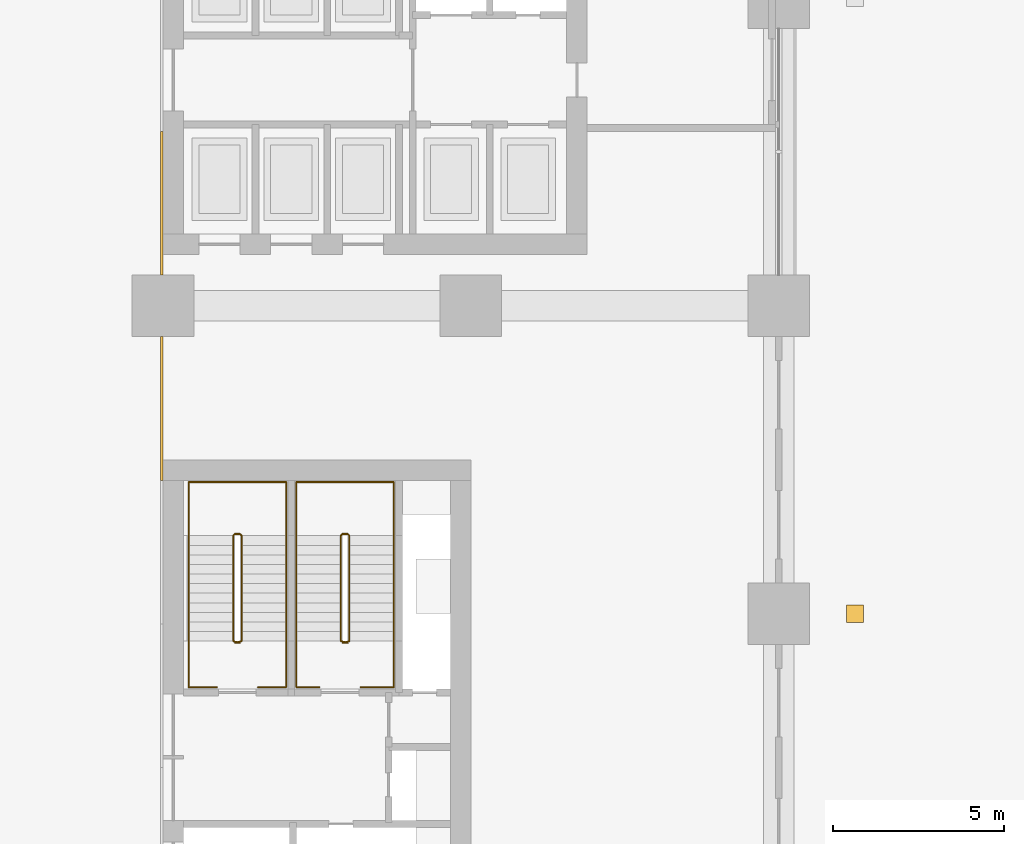
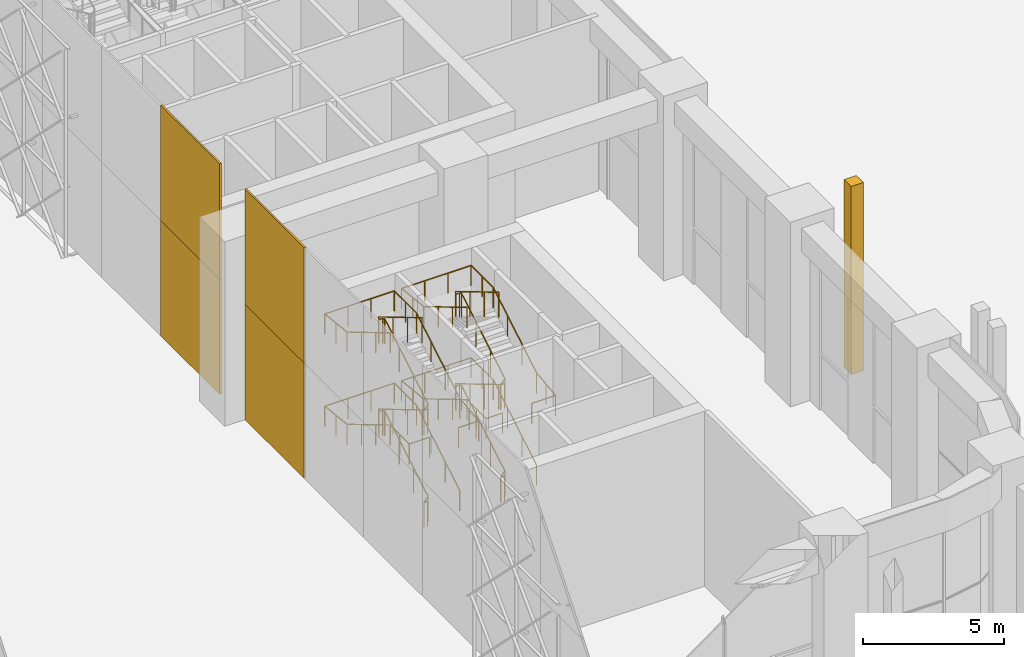
# One storey, part 53 of 64: 6 railings, 5 coverings.
"""IFC4 building model written with IfcOpenShell, lengths in metres."""

import ifcopenshell
import ifcopenshell.guid

model = None  # the IFC model being written
_history = None  # IfcOwnerHistory: only IFC2X3 demands one
_inside = {}  # id of a spatial element -> (the spatial element, [elements in it])
_under = {}  # id of a project, library or spatial element -> (it, [spatial elements below it])
_declared = {}  # id of a project -> (the project, [libraries it declares])
_typed = {}  # id of a type object -> (the type object, [elements of that type])
_made_of = {}  # id of a material, layer set ... -> (it, [elements and type objects made of it])


def new_model(schema):
    """Start an empty IFC model of exactly this schema.

    Asked for "IFC4X3", IfcOpenShell would pick the latest addendum, in which some entities
    have other attributes; the version numbers below select the first issue.
    IFC2X3 requires an IfcOwnerHistory on every rooted entity: one is made here for all.
    """
    global model, _history
    if schema == "IFC4X3":
        model = ifcopenshell.file(schema_version=(4, 3, 0, 0))
    else:
        model = ifcopenshell.file(schema=schema)
    _inside.clear()
    _under.clear()
    _declared.clear()
    _typed.clear()
    _made_of.clear()
    _history = None
    if model.schema == "IFC2X3":
        org = make("IfcOrganization", Name="unknown")
        user = make(
            "IfcPersonAndOrganization",
            ThePerson=make("IfcPerson", FamilyName="unknown"),
            TheOrganization=org,
        )
        app = make(
            "IfcApplication",
            ApplicationDeveloper=org,
            Version="unknown",
            ApplicationFullName="unknown",
            ApplicationIdentifier="unknown",
        )
        _history = make(
            "IfcOwnerHistory",
            OwningUser=user,
            OwningApplication=app,
            ChangeAction="ADDED",
            CreationDate=0,
        )
    return model


def make(cls, **values):
    """One entity of the class cls with the attributes given. An attribute that is None is left unset."""
    return model.create_entity(
        cls, **{name: value for name, value in values.items() if value is not None}
    )


def rooted(cls, **values):
    """An entity with a GlobalId (a new one), such as an element, a storey or a relation."""
    return make(cls, GlobalId=ifcopenshell.guid.new(), OwnerHistory=_history, **values)


def si_unit(unit_type, name, prefix=None):
    """IfcSIUnit, for example si_unit("LENGTHUNIT", "METRE", prefix="MILLI")."""
    return make("IfcSIUnit", UnitType=unit_type, Prefix=prefix, Name=name)


def assignment(units):
    """IfcUnitAssignment: the units of a project."""
    return None if units is None else make("IfcUnitAssignment", Units=units)


def point(xyz):
    """IfcCartesianPoint."""
    return None if xyz is None else make("IfcCartesianPoint", Coordinates=xyz)


def direction(xyz):
    """IfcDirection."""
    return None if xyz is None else make("IfcDirection", DirectionRatios=xyz)


def frame(location, z_axis=None, x_axis=None):
    """IfcAxis2Placement3D, a coordinate frame: its origin and axes. An axis left out is left unset."""
    return make(
        "IfcAxis2Placement3D",
        Location=point(location),
        Axis=direction(z_axis),
        RefDirection=direction(x_axis),
    )


def frame_2d(location, x_axis=None):
    """IfcAxis2Placement2D, a coordinate frame in the plane: its origin and x axis."""
    return make(
        "IfcAxis2Placement2D", Location=point(location), RefDirection=direction(x_axis)
    )


def origin():
    """The frame at (0, 0, 0) with its axes left unset."""
    return frame((0.0, 0.0, 0.0))


def origin_2d():
    """The frame at (0, 0) in the plane with its x axis left unset."""
    return frame_2d((0.0, 0.0))


def place(relative_to, where):
    """IfcLocalPlacement: puts the frame where relative to a parent placement (None: the world)."""
    return make(
        "IfcLocalPlacement", PlacementRelTo=relative_to, RelativePlacement=where
    )


def context(
    kind, dimensions, precision=None, world=None, true_north=None, identifier=None
):
    """IfcGeometricRepresentationContext, for example the 3D "Model" context."""
    return make(
        "IfcGeometricRepresentationContext",
        ContextIdentifier=identifier,
        ContextType=kind,
        CoordinateSpaceDimension=dimensions,
        Precision=precision,
        WorldCoordinateSystem=world,
        TrueNorth=true_north,
    )


def subcontext(parent, identifier, kind, view, scale=None):
    """IfcGeometricRepresentationSubContext, for example "Body" below "Model"."""
    return make(
        "IfcGeometricRepresentationSubContext",
        ContextIdentifier=identifier,
        ContextType=kind,
        ParentContext=parent,
        TargetScale=scale,
        TargetView=view,
    )


def project(units=None, contexts=None):
    """IfcProject with its units and contexts."""
    return rooted(
        "IfcProject",
        Name="project",
        RepresentationContexts=contexts,
        UnitsInContext=assignment(units),
    )


def spatial(cls, under=None, at=None, **own):
    """A site, building, storey or space (cls), placed at a placement, below another one or the project."""
    s = rooted(cls, ObjectPlacement=at, **own)
    if under is not None:
        _under.setdefault(under.id(), (under, []))[1].append(s)
    return s


def profile(cls, at=None, kind="AREA", **sizes):
    """A parametric profile (cls). Its sizes go by their IFC names, for example OverallWidth=200.0."""
    return make(cls, ProfileType=kind, Position=at, **sizes)


def rectangle(**sizes):
    """IfcRectangleProfileDef."""
    return profile("IfcRectangleProfileDef", **sizes)


def circle(**sizes):
    """IfcCircleProfileDef."""
    return profile("IfcCircleProfileDef", **sizes)


def extrude(swept, where, along, depth):
    """IfcExtrudedAreaSolid: the profile swept, set in the frame where, extruded along a direction by depth."""
    return make(
        "IfcExtrudedAreaSolid",
        SweptArea=swept,
        Position=where,
        ExtrudedDirection=direction(along),
        Depth=depth,
    )


def shape(context_of_items, identifier, shape_type, items):
    """IfcShapeRepresentation: the items that make up one representation, for example the "Body"."""
    return make(
        "IfcShapeRepresentation",
        ContextOfItems=context_of_items,
        RepresentationIdentifier=identifier,
        RepresentationType=shape_type,
        Items=items,
    )


def material(Name=None, Category=None):
    """IfcMaterial."""
    return make("IfcMaterial", Name=Name, Category=Category)


def layer(
    of_material, thickness, ventilated=None, Name=None, Category=None, Priority=None
):
    """IfcMaterialLayer: one layer of a wall or slab, of a material (None: an air gap)."""
    return make(
        "IfcMaterialLayer",
        Material=of_material,
        LayerThickness=thickness,
        IsVentilated=ventilated,
        Name=Name,
        Category=Category,
        Priority=Priority,
    )


def layer_set(layers, Name=None):
    """IfcMaterialLayerSet."""
    return make("IfcMaterialLayerSet", MaterialLayers=layers, LayerSetName=Name)


def made_of(thing, what):
    """Note that an element or type object is made of a material, layer set ...; save() writes the relation."""
    if what is not None:
        _made_of.setdefault(what.id(), (what, []))[1].append(thing)
    return thing


def type_object(cls, material=None, **own):
    """A type object (cls), such as IfcWallType, which elements share."""
    return made_of(rooted(cls, **own), material)


def element(
    cls,
    number,
    at=None,
    inside=None,
    cuts=None,
    type_object=None,
    material=None,
    context=None,
    identifier="Body",
    shape_type=None,
    held_by="IfcProductDefinitionShape",
    body=None,
    shapes=None,
    **own,
):
    """One element of the class cls, such as IfcWall. Its Tag is "e" and its number.

    at: its placement. inside: the storey or other place that contains it. cuts: it is an
    opening in that element (IfcRelVoidsElement). A single representation is given by context,
    identifier, shape_type and body (its items); several are given by shapes. held_by: the class
    of the entity that holds the representations. save() writes the other relations.
    """
    e = rooted(cls, Tag="e%d" % number, ObjectPlacement=at, **own)
    if body is not None:
        shapes = [shape(context, identifier, shape_type, body)]
    if shapes is not None:
        e.Representation = make(held_by, Representations=shapes)
    if inside is not None:
        _inside.setdefault(inside.id(), (inside, []))[1].append(e)
    if cuts is not None:
        rooted(
            "IfcRelVoidsElement", RelatingBuildingElement=cuts, RelatedOpeningElement=e
        )
    if type_object is not None:
        _typed.setdefault(type_object.id(), (type_object, []))[1].append(e)
    return made_of(e, material)


def aggregate(whole, parts):
    """IfcRelAggregates: a whole, such as a stair, and the parts it consists of."""
    return rooted("IfcRelAggregates", RelatingObject=whole, RelatedObjects=parts)


def save(model, path):
    """Write the relations noted so far, then the file.

    IfcRelAggregates (storeys below a building ...), IfcRelContainedInSpatialStructure (elements
    in a storey), IfcRelDefinesByType, IfcRelAssociatesMaterial and IfcRelDeclares: one each for
    every whole, place, type object, material and project.
    """
    for whole, parts in _under.values():
        aggregate(whole, parts)
    for where, things in _inside.values():
        rooted(
            "IfcRelContainedInSpatialStructure",
            RelatedElements=things,
            RelatingStructure=where,
        )
    for kind, things in _typed.values():
        rooted("IfcRelDefinesByType", RelatedObjects=things, RelatingType=kind)
    for what, things in _made_of.values():
        rooted("IfcRelAssociatesMaterial", RelatedObjects=things, RelatingMaterial=what)
    for by, libraries in _declared.values():
        rooted("IfcRelDeclares", RelatingContext=by, RelatedDefinitions=libraries)
    model.write(path)


model = new_model("IFC4")

# Units and contexts
model_context = context("Model", 3, precision=1e-05, world=origin(), true_north=direction((0.0, 1.0)))
body_context = subcontext(model_context, "Body", "Model", "MODEL_VIEW")
ifc_project = project(units=[si_unit("LENGTHUNIT", "METRE"), si_unit("AREAUNIT", "SQUARE_METRE"), si_unit("VOLUMEUNIT", "CUBIC_METRE"), si_unit("PLANEANGLEUNIT", "RADIAN"), si_unit("MASSUNIT", "GRAM", prefix="KILO")], contexts=[model_context])

# Site, building, storey
site_placement = place(None, origin())
site = spatial("IfcSite", under=ifc_project, at=site_placement, CompositionType="ELEMENT")
building_placement = place(site_placement, origin())
building = spatial("IfcBuilding", under=site, at=building_placement, Name="Tessera Arch", CompositionType="ELEMENT")
storey_placement = place(building_placement, origin())
storey = spatial("IfcBuildingStorey", under=building, at=storey_placement, Name="L00", CompositionType="ELEMENT", Elevation=0.0)

# Coverings
ifc_material_1 = material(Name="Aluminium cladding pale metal anodised", Category="aluminium")
ifc_layer_1 = layer(ifc_material_1, 0.070068359375)
ifc_layer_set_1 = layer_set([ifc_layer_1], Name="Arch jamb panel")
covering_type_1 = type_object("IfcCoveringType", Name="Arch jamb panel", PredefinedType="CLADDING", material=ifc_layer_set_1)
for number, where, z_axis, x_axis, name in (
    (1, (35.965087890625, 24.0, 0.0), (0.0, 0.0, 1.0), (1.0, 0.0, 0.0), "Arch jamb panel E1-6"),
    (2, (35.965087890625, 30.0, 0.0), (0.0, 0.0, 1.0), (1.0, 0.0, 0.0), "Arch jamb panel E1-7"),
    (3, (35.965087890625, 24.0, 5.0), (0.0, 0.0, 1.0), (1.0, 0.0, 0.0), "Arch jamb panel E2-6"),
    (4, (35.965087890625, 30.0, 5.0), (0.0, 0.0, 1.0), (1.0, 0.0, 0.0), "Arch jamb panel E2-7"),
):
    element("IfcCovering", number, at=place(storey_placement, frame(where, z_axis=z_axis, x_axis=x_axis)), inside=storey, type_object=covering_type_1, Name=name, PredefinedType="CLADDING", context=body_context, shape_type="SweptSolid", body=[
        extrude(rectangle(XDim=0.070068359375, YDim=4.199951171875, at=origin_2d()), origin(), (0.0, 0.0, 1.0), 5.0),
    ])
ifc_material_2 = material(Name="Anodised aluminium pale metal", Category="aluminium")
ifc_layer_2 = layer(ifc_material_2, 0.5)
ifc_layer_set_2 = layer_set([ifc_layer_2], Name="Base plinth pier pale metal")
covering_type_2 = type_object("IfcCoveringType", Name="Base plinth pier pale metal", PredefinedType="CLADDING", material=ifc_layer_set_2)
covering_placement = place(storey_placement, frame((56.22509765625, 18.0, 0.0), z_axis=(0.0, 0.0, 1.0), x_axis=(0.0, 1.0, 0.0)))
element("IfcCovering", 5, at=covering_placement, inside=storey, type_object=covering_type_2, Name="Base plinth pier 4", PredefinedType="CLADDING", context=body_context, shape_type="SweptSolid", body=[
    extrude(rectangle(XDim=0.5, YDim=0.5, at=origin_2d()), origin(), (0.0, 0.0, 1.0), 8.159912109375),
])

# Railings
ifc_material_3 = material(Name="Painted steel balustrade", Category="steel")
railing_type_1 = type_object("IfcRailingType", Name="Stair guard 1100", PredefinedType="GUARDRAIL", material=ifc_material_3)
railing_1_placement = place(storey_placement, frame((38.25, 17.14990234375, 0.0)))
element("IfcRailing", 6, at=railing_1_placement, inside=storey, type_object=railing_type_1, Name="L00 S3a stair guard 1", PredefinedType="GUARDRAIL", context=body_context, shape_type="SweptSolid", body=[
    extrude(circle(Radius=0.02392578125, at=origin_2d()), frame((0.00390625, 0.0, 1.076171875), z_axis=(-1.0, 0.0, 0.0), x_axis=(0.0, -1.0, 0.0)), (0.0, 0.0, 1.0), 0.157958984375),
    extrude(circle(Radius=0.02392578125, at=origin_2d()), frame((-0.15283203125, -0.000732421875, 1.073486328125), z_axis=(0.754182335027, 0.188775798145, 0.628945707965), x_axis=(-0.242814311512, 0.970072785993, 0.0)), (0.0, 0.0, 1.0), 0.273193359375),
    extrude(circle(Radius=0.02392578125, at=origin_2d()), frame((0.050048828125, 0.046630859375, 1.24072265625), z_axis=(0.0, 0.859308565015, 0.511457515432), x_axis=(-1.0, 0.0, 0.0)), (0.0, 0.0, 1.0), 3.59228515625),
    extrude(circle(Radius=0.02392578125, at=origin_2d()), frame((0.052978515625, 3.127197265625, 3.076171875), z_axis=(-0.707106781187, 0.707106781187, 0.0), x_axis=(-0.707106781187, -0.707106781187, 0.0)), (0.0, 0.0, 1.0), 0.078857421875),
    extrude(circle(Radius=0.02392578125, at=origin_2d()), frame((0.00390625, 3.18017578125, 3.076171875), z_axis=(-1.0, 0.0, 0.0), x_axis=(0.0, -1.0, 0.0)), (0.0, 0.0, 1.0), 0.157958984375),
    extrude(circle(Radius=0.02392578125, at=origin_2d()), frame((-0.148681640625, 3.181396484375, 3.072265625), z_axis=(-0.27628659633, -0.27628659633, 0.920506074601), x_axis=(0.707106781187, -0.707106781187, 0.0)), (0.0, 0.0, 1.0), 0.189208984375),
    extrude(circle(Radius=0.02392578125, at=origin_2d()), frame((-0.199951171875, 3.133544921875, 3.24072265625), z_axis=(0.0, -0.859308565015, 0.511457515432), x_axis=(1.0, 0.0, 0.0)), (0.0, 0.0, 1.0), 3.59228515625),
    extrude(circle(Radius=0.02392578125, at=origin_2d()), frame((-0.203857421875, 0.051025390625, 5.076171875), z_axis=(0.970072785993, -0.242814311512, 0.0), x_axis=(0.242814311512, 0.970072785993, 0.0)), (0.0, 0.0, 1.0), 0.214111328125),
    extrude(circle(Radius=0.02392578125, at=origin_2d()), frame((0.00390625, 0.0, 5.076171875), z_axis=(-1.0, 0.0, 0.0), x_axis=(0.0, -1.0, 0.0)), (0.0, 0.0, 1.0), 0.157958984375),
    extrude(circle(Radius=0.02392578125, at=origin_2d()), frame((-0.15283203125, -0.000732421875, 5.073486328125), z_axis=(0.754182335027, 0.188775798145, 0.628945707965), x_axis=(-0.242814311512, 0.970072785993, 0.0)), (0.0, 0.0, 1.0), 0.273193359375),
    extrude(circle(Radius=0.02392578125, at=origin_2d()), frame((0.050048828125, 0.046630859375, 5.24072265625), z_axis=(0.0, 0.859308565015, 0.511457515432), x_axis=(-1.0, 0.0, 0.0)), (0.0, 0.0, 1.0), 3.59228515625),
    extrude(circle(Radius=0.02392578125, at=origin_2d()), frame((0.052978515625, 3.127197265625, 7.076171875), z_axis=(-0.707106781187, 0.707106781187, 0.0), x_axis=(-0.707106781187, -0.707106781187, 0.0)), (0.0, 0.0, 1.0), 0.078857421875),
    extrude(circle(Radius=0.02392578125, at=origin_2d()), frame((0.00390625, 3.18017578125, 7.076171875), z_axis=(-1.0, 0.0, 0.0), x_axis=(0.0, -1.0, 0.0)), (0.0, 0.0, 1.0), 0.157958984375),
    extrude(circle(Radius=0.02392578125, at=origin_2d()), frame((-0.148681640625, 3.181396484375, 7.072265625), z_axis=(-0.27628659633, -0.27628659633, 0.920506074601), x_axis=(0.707106781187, -0.707106781187, 0.0)), (0.0, 0.0, 1.0), 0.189208984375),
    extrude(circle(Radius=0.02392578125, at=origin_2d()), frame((-0.199951171875, 3.133544921875, 7.24072265625), z_axis=(0.0, -0.859308565015, 0.511457515432), x_axis=(1.0, 0.0, 0.0)), (0.0, 0.0, 1.0), 3.59228515625),
    extrude(circle(Radius=0.02099609375, at=origin_2d()), origin(), (0.0, 0.0, 1.0), 1.06396484375),
    extrude(circle(Radius=0.02099609375, at=origin_2d()), frame((-0.14990234375, 0.0, 0.0)), (0.0, 0.0, 1.0), 1.06396484375),
    extrude(circle(Radius=0.02099609375, at=origin_2d()), frame((0.050048828125, 0.050048828125, 0.166748046875)), (0.0, 0.0, 1.0), 1.06396484375),
    extrude(circle(Radius=0.02099609375, at=origin_2d()), frame((0.050048828125, 1.07666015625, 0.77783203125)), (0.0, 0.0, 1.0), 1.06396484375),
    extrude(circle(Radius=0.02099609375, at=origin_2d()), frame((0.050048828125, 2.103515625, 1.388916015625)), (0.0, 0.0, 1.0), 1.06396484375),
    extrude(circle(Radius=0.02099609375, at=origin_2d()), frame((0.050048828125, 3.130126953125, 2.0)), (0.0, 0.0, 1.0), 1.06396484375),
    extrude(circle(Radius=0.02099609375, at=origin_2d()), frame((0.0, 3.18017578125, 2.0)), (0.0, 0.0, 1.0), 1.06396484375),
    extrude(circle(Radius=0.02099609375, at=origin_2d()), frame((-0.14990234375, 3.18017578125, 2.0)), (0.0, 0.0, 1.0), 1.06396484375),
    extrude(circle(Radius=0.02099609375, at=origin_2d()), frame((-0.199951171875, 3.130126953125, 2.166748046875)), (0.0, 0.0, 1.0), 1.06396484375),
    extrude(circle(Radius=0.02099609375, at=origin_2d()), frame((-0.199951171875, 2.103515625, 2.77783203125)), (0.0, 0.0, 1.0), 1.06396484375),
    extrude(circle(Radius=0.02099609375, at=origin_2d()), frame((-0.199951171875, 1.07666015625, 3.388916015625)), (0.0, 0.0, 1.0), 1.06396484375),
    extrude(circle(Radius=0.02099609375, at=origin_2d()), frame((-0.199951171875, 0.050048828125, 4.0)), (0.0, 0.0, 1.0), 1.06396484375),
    extrude(circle(Radius=0.02099609375, at=origin_2d()), frame((0.0, 0.0, 4.0)), (0.0, 0.0, 1.0), 1.06396484375),
    extrude(circle(Radius=0.02099609375, at=origin_2d()), frame((-0.14990234375, 0.0, 4.0)), (0.0, 0.0, 1.0), 1.06396484375),
    extrude(circle(Radius=0.02099609375, at=origin_2d()), frame((0.050048828125, 0.050048828125, 4.166748046875)), (0.0, 0.0, 1.0), 1.06396484375),
    extrude(circle(Radius=0.02099609375, at=origin_2d()), frame((0.050048828125, 1.07666015625, 4.77783203125)), (0.0, 0.0, 1.0), 1.06396484375),
    extrude(circle(Radius=0.02099609375, at=origin_2d()), frame((0.050048828125, 2.103515625, 5.388916015625)), (0.0, 0.0, 1.0), 1.06396484375),
    extrude(circle(Radius=0.02099609375, at=origin_2d()), frame((0.050048828125, 3.130126953125, 6.0)), (0.0, 0.0, 1.0), 1.06396484375),
    extrude(circle(Radius=0.02099609375, at=origin_2d()), frame((0.0, 3.18017578125, 6.0)), (0.0, 0.0, 1.0), 1.06396484375),
    extrude(circle(Radius=0.02099609375, at=origin_2d()), frame((-0.14990234375, 3.18017578125, 6.0)), (0.0, 0.0, 1.0), 1.06396484375),
    extrude(circle(Radius=0.02099609375, at=origin_2d()), frame((-0.199951171875, 3.130126953125, 6.166748046875)), (0.0, 0.0, 1.0), 1.06396484375),
    extrude(circle(Radius=0.02099609375, at=origin_2d()), frame((-0.199951171875, 2.103515625, 6.77783203125)), (0.0, 0.0, 1.0), 1.06396484375),
    extrude(circle(Radius=0.02099609375, at=origin_2d()), frame((-0.199951171875, 1.07666015625, 7.388916015625)), (0.0, 0.0, 1.0), 1.06396484375),
    extrude(circle(Radius=0.02099609375, at=origin_2d()), frame((-0.199951171875, 0.050048828125, 8.0)), (0.0, 0.0, 1.0), 1.06396484375),
])
railing_2_placement = place(storey_placement, frame((41.39990234375, 17.14990234375, 0.0)))
element("IfcRailing", 7, at=railing_2_placement, inside=storey, type_object=railing_type_1, Name="L00 S3b stair guard 1", PredefinedType="GUARDRAIL", context=body_context, shape_type="SweptSolid", body=[
    extrude(circle(Radius=0.02392578125, at=origin_2d()), frame((0.00390625, 0.0, 1.076171875), z_axis=(-1.0, 0.0, 0.0), x_axis=(0.0, -1.0, 0.0)), (0.0, 0.0, 1.0), 0.157958984375),
    extrude(circle(Radius=0.02392578125, at=origin_2d()), frame((-0.15283203125, -0.000732421875, 1.073486328125), z_axis=(0.754182335027, 0.188775798145, 0.628945707965), x_axis=(-0.242814311512, 0.970072785993, 0.0)), (0.0, 0.0, 1.0), 0.273193359375),
    extrude(circle(Radius=0.02392578125, at=origin_2d()), frame((0.050048828125, 0.046630859375, 1.24072265625), z_axis=(0.0, 0.859308565015, 0.511457515432), x_axis=(-1.0, 0.0, 0.0)), (0.0, 0.0, 1.0), 3.59228515625),
    extrude(circle(Radius=0.02392578125, at=origin_2d()), frame((0.052978515625, 3.127197265625, 3.076171875), z_axis=(-0.707106781187, 0.707106781187, 0.0), x_axis=(-0.707106781187, -0.707106781187, 0.0)), (0.0, 0.0, 1.0), 0.078857421875),
    extrude(circle(Radius=0.02392578125, at=origin_2d()), frame((0.00390625, 3.18017578125, 3.076171875), z_axis=(-1.0, 0.0, 0.0), x_axis=(0.0, -1.0, 0.0)), (0.0, 0.0, 1.0), 0.157958984375),
    extrude(circle(Radius=0.02392578125, at=origin_2d()), frame((-0.148681640625, 3.181396484375, 3.072265625), z_axis=(-0.27628659633, -0.27628659633, 0.920506074601), x_axis=(0.707106781187, -0.707106781187, 0.0)), (0.0, 0.0, 1.0), 0.189208984375),
    extrude(circle(Radius=0.02392578125, at=origin_2d()), frame((-0.199951171875, 3.133544921875, 3.24072265625), z_axis=(0.0, -0.859308565015, 0.511457515432), x_axis=(1.0, 0.0, 0.0)), (0.0, 0.0, 1.0), 3.59228515625),
    extrude(circle(Radius=0.02392578125, at=origin_2d()), frame((-0.203857421875, 0.051025390625, 5.076171875), z_axis=(0.970072785993, -0.242814311512, 0.0), x_axis=(0.242814311512, 0.970072785993, 0.0)), (0.0, 0.0, 1.0), 0.214111328125),
    extrude(circle(Radius=0.02392578125, at=origin_2d()), frame((0.00390625, 0.0, 5.076171875), z_axis=(-1.0, 0.0, 0.0), x_axis=(0.0, -1.0, 0.0)), (0.0, 0.0, 1.0), 0.157958984375),
    extrude(circle(Radius=0.02392578125, at=origin_2d()), frame((-0.15283203125, -0.000732421875, 5.073486328125), z_axis=(0.754182335027, 0.188775798145, 0.628945707965), x_axis=(-0.242814311512, 0.970072785993, 0.0)), (0.0, 0.0, 1.0), 0.273193359375),
    extrude(circle(Radius=0.02392578125, at=origin_2d()), frame((0.050048828125, 0.046630859375, 5.24072265625), z_axis=(0.0, 0.859308565015, 0.511457515432), x_axis=(-1.0, 0.0, 0.0)), (0.0, 0.0, 1.0), 3.59228515625),
    extrude(circle(Radius=0.02392578125, at=origin_2d()), frame((0.052978515625, 3.127197265625, 7.076171875), z_axis=(-0.707106781187, 0.707106781187, 0.0), x_axis=(-0.707106781187, -0.707106781187, 0.0)), (0.0, 0.0, 1.0), 0.078857421875),
    extrude(circle(Radius=0.02392578125, at=origin_2d()), frame((0.00390625, 3.18017578125, 7.076171875), z_axis=(-1.0, 0.0, 0.0), x_axis=(0.0, -1.0, 0.0)), (0.0, 0.0, 1.0), 0.157958984375),
    extrude(circle(Radius=0.02392578125, at=origin_2d()), frame((-0.148681640625, 3.181396484375, 7.072265625), z_axis=(-0.27628659633, -0.27628659633, 0.920506074601), x_axis=(0.707106781187, -0.707106781187, 0.0)), (0.0, 0.0, 1.0), 0.189208984375),
    extrude(circle(Radius=0.02392578125, at=origin_2d()), frame((-0.199951171875, 3.133544921875, 7.24072265625), z_axis=(0.0, -0.859308565015, 0.511457515432), x_axis=(1.0, 0.0, 0.0)), (0.0, 0.0, 1.0), 3.59228515625),
    extrude(circle(Radius=0.02099609375, at=origin_2d()), origin(), (0.0, 0.0, 1.0), 1.06396484375),
    extrude(circle(Radius=0.02099609375, at=origin_2d()), frame((-0.14990234375, 0.0, 0.0)), (0.0, 0.0, 1.0), 1.06396484375),
    extrude(circle(Radius=0.02099609375, at=origin_2d()), frame((0.050048828125, 0.050048828125, 0.166748046875)), (0.0, 0.0, 1.0), 1.06396484375),
    extrude(circle(Radius=0.02099609375, at=origin_2d()), frame((0.050048828125, 1.07666015625, 0.77783203125)), (0.0, 0.0, 1.0), 1.06396484375),
    extrude(circle(Radius=0.02099609375, at=origin_2d()), frame((0.050048828125, 2.103515625, 1.388916015625)), (0.0, 0.0, 1.0), 1.06396484375),
    extrude(circle(Radius=0.02099609375, at=origin_2d()), frame((0.050048828125, 3.130126953125, 2.0)), (0.0, 0.0, 1.0), 1.06396484375),
    extrude(circle(Radius=0.02099609375, at=origin_2d()), frame((0.0, 3.18017578125, 2.0)), (0.0, 0.0, 1.0), 1.06396484375),
    extrude(circle(Radius=0.02099609375, at=origin_2d()), frame((-0.14990234375, 3.18017578125, 2.0)), (0.0, 0.0, 1.0), 1.06396484375),
    extrude(circle(Radius=0.02099609375, at=origin_2d()), frame((-0.199951171875, 3.130126953125, 2.166748046875)), (0.0, 0.0, 1.0), 1.06396484375),
    extrude(circle(Radius=0.02099609375, at=origin_2d()), frame((-0.199951171875, 2.103515625, 2.77783203125)), (0.0, 0.0, 1.0), 1.06396484375),
    extrude(circle(Radius=0.02099609375, at=origin_2d()), frame((-0.199951171875, 1.07666015625, 3.388916015625)), (0.0, 0.0, 1.0), 1.06396484375),
    extrude(circle(Radius=0.02099609375, at=origin_2d()), frame((-0.199951171875, 0.050048828125, 4.0)), (0.0, 0.0, 1.0), 1.06396484375),
    extrude(circle(Radius=0.02099609375, at=origin_2d()), frame((0.0, 0.0, 4.0)), (0.0, 0.0, 1.0), 1.06396484375),
    extrude(circle(Radius=0.02099609375, at=origin_2d()), frame((-0.14990234375, 0.0, 4.0)), (0.0, 0.0, 1.0), 1.06396484375),
    extrude(circle(Radius=0.02099609375, at=origin_2d()), frame((0.050048828125, 0.050048828125, 4.166748046875)), (0.0, 0.0, 1.0), 1.06396484375),
    extrude(circle(Radius=0.02099609375, at=origin_2d()), frame((0.050048828125, 1.07666015625, 4.77783203125)), (0.0, 0.0, 1.0), 1.06396484375),
    extrude(circle(Radius=0.02099609375, at=origin_2d()), frame((0.050048828125, 2.103515625, 5.388916015625)), (0.0, 0.0, 1.0), 1.06396484375),
    extrude(circle(Radius=0.02099609375, at=origin_2d()), frame((0.050048828125, 3.130126953125, 6.0)), (0.0, 0.0, 1.0), 1.06396484375),
    extrude(circle(Radius=0.02099609375, at=origin_2d()), frame((0.0, 3.18017578125, 6.0)), (0.0, 0.0, 1.0), 1.06396484375),
    extrude(circle(Radius=0.02099609375, at=origin_2d()), frame((-0.14990234375, 3.18017578125, 6.0)), (0.0, 0.0, 1.0), 1.06396484375),
    extrude(circle(Radius=0.02099609375, at=origin_2d()), frame((-0.199951171875, 3.130126953125, 6.166748046875)), (0.0, 0.0, 1.0), 1.06396484375),
    extrude(circle(Radius=0.02099609375, at=origin_2d()), frame((-0.199951171875, 2.103515625, 6.77783203125)), (0.0, 0.0, 1.0), 1.06396484375),
    extrude(circle(Radius=0.02099609375, at=origin_2d()), frame((-0.199951171875, 1.07666015625, 7.388916015625)), (0.0, 0.0, 1.0), 1.06396484375),
    extrude(circle(Radius=0.02099609375, at=origin_2d()), frame((-0.199951171875, 0.050048828125, 8.0)), (0.0, 0.0, 1.0), 1.06396484375),
])
ifc_material_4 = material(Name="Painted steel handrail", Category="steel")
railing_type_2 = type_object("IfcRailingType", Name="Stair handrail 900", PredefinedType="HANDRAIL", material=ifc_material_4)
railing_3_placement = place(storey_placement, frame((39.60009765625, 17.199951171875, 0.166748046875)))
element("IfcRailing", 8, at=railing_3_placement, inside=storey, type_object=railing_type_2, Name="L00 S3a stair handrail", PredefinedType="HANDRAIL", context=body_context, shape_type="SweptSolid", body=[
    extrude(circle(Radius=0.02392578125, at=origin_2d()), frame((0.0, -0.00341796875, 0.873779296875), z_axis=(0.0, 0.859308565015, 0.511457515432), x_axis=(-1.0, 0.0, 0.0)), (0.0, 0.0, 1.0), 3.59228515625),
    extrude(circle(Radius=0.02392578125, at=origin_2d()), frame((0.0, 3.076171875, 2.708984375), z_axis=(0.0, 1.0, 0.0), x_axis=(-1.0, 0.0, 0.0)), (0.0, 0.0, 1.0), 1.578125),
    extrude(circle(Radius=0.02392578125, at=origin_2d()), frame((0.00390625, 4.650146484375, 2.708984375), z_axis=(-1.0, 0.0, 0.0), x_axis=(0.0, -1.0, 0.0)), (0.0, 0.0, 1.0), 2.858154296875),
    extrude(circle(Radius=0.02392578125, at=origin_2d()), frame((-2.85009765625, 4.654052734375, 2.708740234375), z_axis=(0.0, -0.994407585821, 0.105610384251), x_axis=(1.0, 0.0, 0.0)), (0.0, 0.0, 1.0), 1.5869140625),
    extrude(circle(Radius=0.02392578125, at=origin_2d()), frame((-2.85009765625, 3.08349609375, 2.873779296875), z_axis=(0.0, -0.859308565015, 0.511457515432), x_axis=(1.0, 0.0, 0.0)), (0.0, 0.0, 1.0), 3.59228515625),
    extrude(circle(Radius=0.02392578125, at=origin_2d()), frame((-2.85009765625, 0.00390625, 4.708984375), z_axis=(0.0, -1.0, 0.0), x_axis=(1.0, 0.0, 0.0)), (0.0, 0.0, 1.0), 1.35791015625),
    extrude(circle(Radius=0.02392578125, at=origin_2d()), frame((-2.85400390625, -1.349853515625, 4.708984375), z_axis=(1.0, 0.0, 0.0), x_axis=(0.0, 1.0, 0.0)), (0.0, 0.0, 1.0), 0.8330078125),
    extrude(circle(Radius=0.02099609375, at=origin_2d()), origin(), (0.0, 0.0, 1.0), 0.86376953125),
    extrude(circle(Radius=0.02099609375, at=origin_2d()), frame((0.0, 1.026611328125, 0.611083984375)), (0.0, 0.0, 1.0), 0.86376953125),
    extrude(circle(Radius=0.02099609375, at=origin_2d()), frame((0.0, 2.053466796875, 1.22216796875)), (0.0, 0.0, 1.0), 0.86376953125),
    extrude(circle(Radius=0.02099609375, at=origin_2d()), frame((0.0, 3.080078125, 1.833251953125)), (0.0, 0.0, 1.0), 0.86376953125),
    extrude(circle(Radius=0.02099609375, at=origin_2d()), frame((0.0, 3.865234375, 1.833251953125)), (0.0, 0.0, 1.0), 0.86376953125),
    extrude(circle(Radius=0.02099609375, at=origin_2d()), frame((0.0, 4.650146484375, 1.833251953125)), (0.0, 0.0, 1.0), 0.86376953125),
    extrude(circle(Radius=0.02099609375, at=origin_2d()), frame((-0.949951171875, 4.650146484375, 1.833251953125)), (0.0, 0.0, 1.0), 0.86376953125),
    extrude(circle(Radius=0.02099609375, at=origin_2d()), frame((-1.900146484375, 4.650146484375, 1.833251953125)), (0.0, 0.0, 1.0), 0.86376953125),
    extrude(circle(Radius=0.02099609375, at=origin_2d()), frame((-2.85009765625, 4.650146484375, 1.833251953125)), (0.0, 0.0, 1.0), 0.86376953125),
    extrude(circle(Radius=0.02099609375, at=origin_2d()), frame((-2.85009765625, 3.865234375, 1.91650390625)), (0.0, 0.0, 1.0), 0.86376953125),
    extrude(circle(Radius=0.02099609375, at=origin_2d()), frame((-2.85009765625, 3.080078125, 2.0)), (0.0, 0.0, 1.0), 0.86376953125),
    extrude(circle(Radius=0.02099609375, at=origin_2d()), frame((-2.85009765625, 2.053466796875, 2.611083984375)), (0.0, 0.0, 1.0), 0.86376953125),
    extrude(circle(Radius=0.02099609375, at=origin_2d()), frame((-2.85009765625, 1.026611328125, 3.22216796875)), (0.0, 0.0, 1.0), 0.86376953125),
    extrude(circle(Radius=0.02099609375, at=origin_2d()), frame((-2.85009765625, 0.0, 3.833251953125)), (0.0, 0.0, 1.0), 0.86376953125),
    extrude(circle(Radius=0.02099609375, at=origin_2d()), frame((-2.85009765625, -0.6748046875, 3.833251953125)), (0.0, 0.0, 1.0), 0.86376953125),
    extrude(circle(Radius=0.02099609375, at=origin_2d()), frame((-2.85009765625, -1.349853515625, 3.833251953125)), (0.0, 0.0, 1.0), 0.86376953125),
    extrude(circle(Radius=0.02099609375, at=origin_2d()), frame((-2.025146484375, -1.349853515625, 3.833251953125)), (0.0, 0.0, 1.0), 0.86376953125),
])
railing_4_placement = place(storey_placement, frame((38.77490234375, 15.85009765625, 4.0)))
element("IfcRailing", 9, at=railing_4_placement, inside=storey, type_object=railing_type_2, Name="L00 S3a stair handrail 2", PredefinedType="HANDRAIL", context=body_context, shape_type="SweptSolid", body=[
    extrude(circle(Radius=0.02392578125, at=origin_2d()), frame((-0.00390625, 0.0, 0.8759765625), z_axis=(1.0, 0.0, 0.0), x_axis=(0.0, 1.0, 0.0)), (0.0, 0.0, 1.0), 0.833251953125),
    extrude(circle(Radius=0.02392578125, at=origin_2d()), frame((0.8251953125, -0.00390625, 0.875244140625), z_axis=(0.0, 0.992456337791, 0.122598603493), x_axis=(-1.0, 0.0, 0.0)), (0.0, 0.0, 1.0), 1.3681640625),
    extrude(circle(Radius=0.02392578125, at=origin_2d()), frame((0.8251953125, 1.346435546875, 1.04052734375), z_axis=(0.0, 0.859308565015, 0.511457515432), x_axis=(-1.0, 0.0, 0.0)), (0.0, 0.0, 1.0), 3.59228515625),
    extrude(circle(Radius=0.02392578125, at=origin_2d()), frame((0.8251953125, 4.426025390625, 2.8759765625), z_axis=(0.0, 1.0, 0.0), x_axis=(-1.0, 0.0, 0.0)), (0.0, 0.0, 1.0), 1.578125),
    extrude(circle(Radius=0.02392578125, at=origin_2d()), frame((0.8291015625, 6.0, 2.8759765625), z_axis=(-1.0, 0.0, 0.0), x_axis=(0.0, -1.0, 0.0)), (0.0, 0.0, 1.0), 2.858154296875),
    extrude(circle(Radius=0.02392578125, at=origin_2d()), frame((-2.02490234375, 6.00390625, 2.87548828125), z_axis=(0.0, -0.994407585821, 0.105610384251), x_axis=(1.0, 0.0, 0.0)), (0.0, 0.0, 1.0), 1.5869140625),
    extrude(circle(Radius=0.02392578125, at=origin_2d()), frame((-2.02490234375, 4.433349609375, 3.04052734375), z_axis=(0.0, -0.859308565015, 0.511457515432), x_axis=(1.0, 0.0, 0.0)), (0.0, 0.0, 1.0), 3.59228515625),
    extrude(circle(Radius=0.02099609375, at=origin_2d()), origin(), (0.0, 0.0, 1.0), 0.86376953125),
    extrude(circle(Radius=0.02099609375, at=origin_2d()), frame((0.8251953125, 0.0, 0.0)), (0.0, 0.0, 1.0), 0.86376953125),
    extrude(circle(Radius=0.02099609375, at=origin_2d()), frame((0.8251953125, 0.6748046875, 0.08349609375)), (0.0, 0.0, 1.0), 0.86376953125),
    extrude(circle(Radius=0.02099609375, at=origin_2d()), frame((0.8251953125, 1.349853515625, 0.166748046875)), (0.0, 0.0, 1.0), 0.86376953125),
    extrude(circle(Radius=0.02099609375, at=origin_2d()), frame((0.8251953125, 2.37646484375, 0.77783203125)), (0.0, 0.0, 1.0), 0.86376953125),
    extrude(circle(Radius=0.02099609375, at=origin_2d()), frame((0.8251953125, 3.4033203125, 1.388916015625)), (0.0, 0.0, 1.0), 0.86376953125),
    extrude(circle(Radius=0.02099609375, at=origin_2d()), frame((0.8251953125, 4.429931640625, 2.0)), (0.0, 0.0, 1.0), 0.86376953125),
    extrude(circle(Radius=0.02099609375, at=origin_2d()), frame((0.8251953125, 5.21484375, 2.0)), (0.0, 0.0, 1.0), 0.86376953125),
    extrude(circle(Radius=0.02099609375, at=origin_2d()), frame((0.8251953125, 6.0, 2.0)), (0.0, 0.0, 1.0), 0.86376953125),
    extrude(circle(Radius=0.02099609375, at=origin_2d()), frame((-0.124755859375, 6.0, 2.0)), (0.0, 0.0, 1.0), 0.86376953125),
    extrude(circle(Radius=0.02099609375, at=origin_2d()), frame((-1.074951171875, 6.0, 2.0)), (0.0, 0.0, 1.0), 0.86376953125),
    extrude(circle(Radius=0.02099609375, at=origin_2d()), frame((-2.02490234375, 6.0, 2.0)), (0.0, 0.0, 1.0), 0.86376953125),
    extrude(circle(Radius=0.02099609375, at=origin_2d()), frame((-2.02490234375, 5.21484375, 2.08349609375)), (0.0, 0.0, 1.0), 0.86376953125),
    extrude(circle(Radius=0.02099609375, at=origin_2d()), frame((-2.02490234375, 4.429931640625, 2.166748046875)), (0.0, 0.0, 1.0), 0.86376953125),
    extrude(circle(Radius=0.02099609375, at=origin_2d()), frame((-2.02490234375, 3.4033203125, 2.77783203125)), (0.0, 0.0, 1.0), 0.86376953125),
    extrude(circle(Radius=0.02099609375, at=origin_2d()), frame((-2.02490234375, 2.37646484375, 3.388916015625)), (0.0, 0.0, 1.0), 0.86376953125),
    extrude(circle(Radius=0.02099609375, at=origin_2d()), frame((-2.02490234375, 1.349853515625, 4.0)), (0.0, 0.0, 1.0), 0.86376953125),
])
railing_5_placement = place(storey_placement, frame((42.75, 17.199951171875, 0.166748046875)))
element("IfcRailing", 10, at=railing_5_placement, inside=storey, type_object=railing_type_2, Name="L00 S3b stair handrail", PredefinedType="HANDRAIL", context=body_context, shape_type="SweptSolid", body=[
    extrude(circle(Radius=0.02392578125, at=origin_2d()), frame((0.0, -0.00341796875, 0.873779296875), z_axis=(0.0, 0.859308565015, 0.511457515432), x_axis=(-1.0, 0.0, 0.0)), (0.0, 0.0, 1.0), 3.59228515625),
    extrude(circle(Radius=0.02392578125, at=origin_2d()), frame((0.0, 3.076171875, 2.708984375), z_axis=(0.0, 1.0, 0.0), x_axis=(-1.0, 0.0, 0.0)), (0.0, 0.0, 1.0), 1.578125),
    extrude(circle(Radius=0.02392578125, at=origin_2d()), frame((0.00390625, 4.650146484375, 2.708984375), z_axis=(-1.0, 0.0, 0.0), x_axis=(0.0, -1.0, 0.0)), (0.0, 0.0, 1.0), 2.858154296875),
    extrude(circle(Radius=0.02392578125, at=origin_2d()), frame((-2.85009765625, 4.654052734375, 2.708740234375), z_axis=(0.0, -0.994407585821, 0.105610384251), x_axis=(1.0, 0.0, 0.0)), (0.0, 0.0, 1.0), 1.5869140625),
    extrude(circle(Radius=0.02392578125, at=origin_2d()), frame((-2.85009765625, 3.08349609375, 2.873779296875), z_axis=(0.0, -0.859308565015, 0.511457515432), x_axis=(1.0, 0.0, 0.0)), (0.0, 0.0, 1.0), 3.59228515625),
    extrude(circle(Radius=0.02392578125, at=origin_2d()), frame((-2.85009765625, 0.00390625, 4.708984375), z_axis=(0.0, -1.0, 0.0), x_axis=(1.0, 0.0, 0.0)), (0.0, 0.0, 1.0), 1.35791015625),
    extrude(circle(Radius=0.02392578125, at=origin_2d()), frame((-2.85400390625, -1.349853515625, 4.708984375), z_axis=(1.0, 0.0, 0.0), x_axis=(0.0, 1.0, 0.0)), (0.0, 0.0, 1.0), 0.68310546875),
    extrude(circle(Radius=0.02099609375, at=origin_2d()), origin(), (0.0, 0.0, 1.0), 0.86376953125),
    extrude(circle(Radius=0.02099609375, at=origin_2d()), frame((0.0, 1.026611328125, 0.611083984375)), (0.0, 0.0, 1.0), 0.86376953125),
    extrude(circle(Radius=0.02099609375, at=origin_2d()), frame((0.0, 2.053466796875, 1.22216796875)), (0.0, 0.0, 1.0), 0.86376953125),
    extrude(circle(Radius=0.02099609375, at=origin_2d()), frame((0.0, 3.080078125, 1.833251953125)), (0.0, 0.0, 1.0), 0.86376953125),
    extrude(circle(Radius=0.02099609375, at=origin_2d()), frame((0.0, 3.865234375, 1.833251953125)), (0.0, 0.0, 1.0), 0.86376953125),
    extrude(circle(Radius=0.02099609375, at=origin_2d()), frame((0.0, 4.650146484375, 1.833251953125)), (0.0, 0.0, 1.0), 0.86376953125),
    extrude(circle(Radius=0.02099609375, at=origin_2d()), frame((-0.949951171875, 4.650146484375, 1.833251953125)), (0.0, 0.0, 1.0), 0.86376953125),
    extrude(circle(Radius=0.02099609375, at=origin_2d()), frame((-1.900146484375, 4.650146484375, 1.833251953125)), (0.0, 0.0, 1.0), 0.86376953125),
    extrude(circle(Radius=0.02099609375, at=origin_2d()), frame((-2.85009765625, 4.650146484375, 1.833251953125)), (0.0, 0.0, 1.0), 0.86376953125),
    extrude(circle(Radius=0.02099609375, at=origin_2d()), frame((-2.85009765625, 3.865234375, 1.91650390625)), (0.0, 0.0, 1.0), 0.86376953125),
    extrude(circle(Radius=0.02099609375, at=origin_2d()), frame((-2.85009765625, 3.080078125, 2.0)), (0.0, 0.0, 1.0), 0.86376953125),
    extrude(circle(Radius=0.02099609375, at=origin_2d()), frame((-2.85009765625, 2.053466796875, 2.611083984375)), (0.0, 0.0, 1.0), 0.86376953125),
    extrude(circle(Radius=0.02099609375, at=origin_2d()), frame((-2.85009765625, 1.026611328125, 3.22216796875)), (0.0, 0.0, 1.0), 0.86376953125),
    extrude(circle(Radius=0.02099609375, at=origin_2d()), frame((-2.85009765625, 0.0, 3.833251953125)), (0.0, 0.0, 1.0), 0.86376953125),
    extrude(circle(Radius=0.02099609375, at=origin_2d()), frame((-2.85009765625, -0.6748046875, 3.833251953125)), (0.0, 0.0, 1.0), 0.86376953125),
    extrude(circle(Radius=0.02099609375, at=origin_2d()), frame((-2.85009765625, -1.349853515625, 3.833251953125)), (0.0, 0.0, 1.0), 0.86376953125),
    extrude(circle(Radius=0.02099609375, at=origin_2d()), frame((-2.175048828125, -1.349853515625, 3.833251953125)), (0.0, 0.0, 1.0), 0.86376953125),
])
railing_6_placement = place(storey_placement, frame((41.77490234375, 15.85009765625, 4.0)))
element("IfcRailing", 11, at=railing_6_placement, inside=storey, type_object=railing_type_2, Name="L00 S3b stair handrail 2", PredefinedType="HANDRAIL", context=body_context, shape_type="SweptSolid", body=[
    extrude(circle(Radius=0.02392578125, at=origin_2d()), frame((-0.00390625, 0.0, 0.8759765625), z_axis=(1.0, 0.0, 0.0), x_axis=(0.0, 1.0, 0.0)), (0.0, 0.0, 1.0), 0.983154296875),
    extrude(circle(Radius=0.02392578125, at=origin_2d()), frame((0.97509765625, -0.00390625, 0.875244140625), z_axis=(0.0, 0.992456337791, 0.122598603493), x_axis=(-1.0, 0.0, 0.0)), (0.0, 0.0, 1.0), 1.3681640625),
    extrude(circle(Radius=0.02392578125, at=origin_2d()), frame((0.97509765625, 1.346435546875, 1.04052734375), z_axis=(0.0, 0.859308565015, 0.511457515432), x_axis=(-1.0, 0.0, 0.0)), (0.0, 0.0, 1.0), 3.59228515625),
    extrude(circle(Radius=0.02392578125, at=origin_2d()), frame((0.97509765625, 4.426025390625, 2.8759765625), z_axis=(0.0, 1.0, 0.0), x_axis=(-1.0, 0.0, 0.0)), (0.0, 0.0, 1.0), 1.578125),
    extrude(circle(Radius=0.02392578125, at=origin_2d()), frame((0.97900390625, 6.0, 2.8759765625), z_axis=(-1.0, 0.0, 0.0), x_axis=(0.0, -1.0, 0.0)), (0.0, 0.0, 1.0), 2.858154296875),
    extrude(circle(Radius=0.02392578125, at=origin_2d()), frame((-1.875, 6.00390625, 2.87548828125), z_axis=(0.0, -0.994407585821, 0.105610384251), x_axis=(1.0, 0.0, 0.0)), (0.0, 0.0, 1.0), 1.5869140625),
    extrude(circle(Radius=0.02392578125, at=origin_2d()), frame((-1.875, 4.433349609375, 3.04052734375), z_axis=(0.0, -0.859308565015, 0.511457515432), x_axis=(1.0, 0.0, 0.0)), (0.0, 0.0, 1.0), 3.59228515625),
    extrude(circle(Radius=0.02099609375, at=origin_2d()), origin(), (0.0, 0.0, 1.0), 0.86376953125),
    extrude(circle(Radius=0.02099609375, at=origin_2d()), frame((0.97509765625, 0.0, 0.0)), (0.0, 0.0, 1.0), 0.86376953125),
    extrude(circle(Radius=0.02099609375, at=origin_2d()), frame((0.97509765625, 0.6748046875, 0.08349609375)), (0.0, 0.0, 1.0), 0.86376953125),
    extrude(circle(Radius=0.02099609375, at=origin_2d()), frame((0.97509765625, 1.349853515625, 0.166748046875)), (0.0, 0.0, 1.0), 0.86376953125),
    extrude(circle(Radius=0.02099609375, at=origin_2d()), frame((0.97509765625, 2.37646484375, 0.77783203125)), (0.0, 0.0, 1.0), 0.86376953125),
    extrude(circle(Radius=0.02099609375, at=origin_2d()), frame((0.97509765625, 3.4033203125, 1.388916015625)), (0.0, 0.0, 1.0), 0.86376953125),
    extrude(circle(Radius=0.02099609375, at=origin_2d()), frame((0.97509765625, 4.429931640625, 2.0)), (0.0, 0.0, 1.0), 0.86376953125),
    extrude(circle(Radius=0.02099609375, at=origin_2d()), frame((0.97509765625, 5.21484375, 2.0)), (0.0, 0.0, 1.0), 0.86376953125),
    extrude(circle(Radius=0.02099609375, at=origin_2d()), frame((0.97509765625, 6.0, 2.0)), (0.0, 0.0, 1.0), 0.86376953125),
    extrude(circle(Radius=0.02099609375, at=origin_2d()), frame((0.025146484375, 6.0, 2.0)), (0.0, 0.0, 1.0), 0.86376953125),
    extrude(circle(Radius=0.02099609375, at=origin_2d()), frame((-0.925048828125, 6.0, 2.0)), (0.0, 0.0, 1.0), 0.86376953125),
    extrude(circle(Radius=0.02099609375, at=origin_2d()), frame((-1.875, 6.0, 2.0)), (0.0, 0.0, 1.0), 0.86376953125),
    extrude(circle(Radius=0.02099609375, at=origin_2d()), frame((-1.875, 5.21484375, 2.08349609375)), (0.0, 0.0, 1.0), 0.86376953125),
    extrude(circle(Radius=0.02099609375, at=origin_2d()), frame((-1.875, 4.429931640625, 2.166748046875)), (0.0, 0.0, 1.0), 0.86376953125),
    extrude(circle(Radius=0.02099609375, at=origin_2d()), frame((-1.875, 3.4033203125, 2.77783203125)), (0.0, 0.0, 1.0), 0.86376953125),
    extrude(circle(Radius=0.02099609375, at=origin_2d()), frame((-1.875, 2.37646484375, 3.388916015625)), (0.0, 0.0, 1.0), 0.86376953125),
    extrude(circle(Radius=0.02099609375, at=origin_2d()), frame((-1.875, 1.349853515625, 4.0)), (0.0, 0.0, 1.0), 0.86376953125),
])

save(model, "model.ifc")
